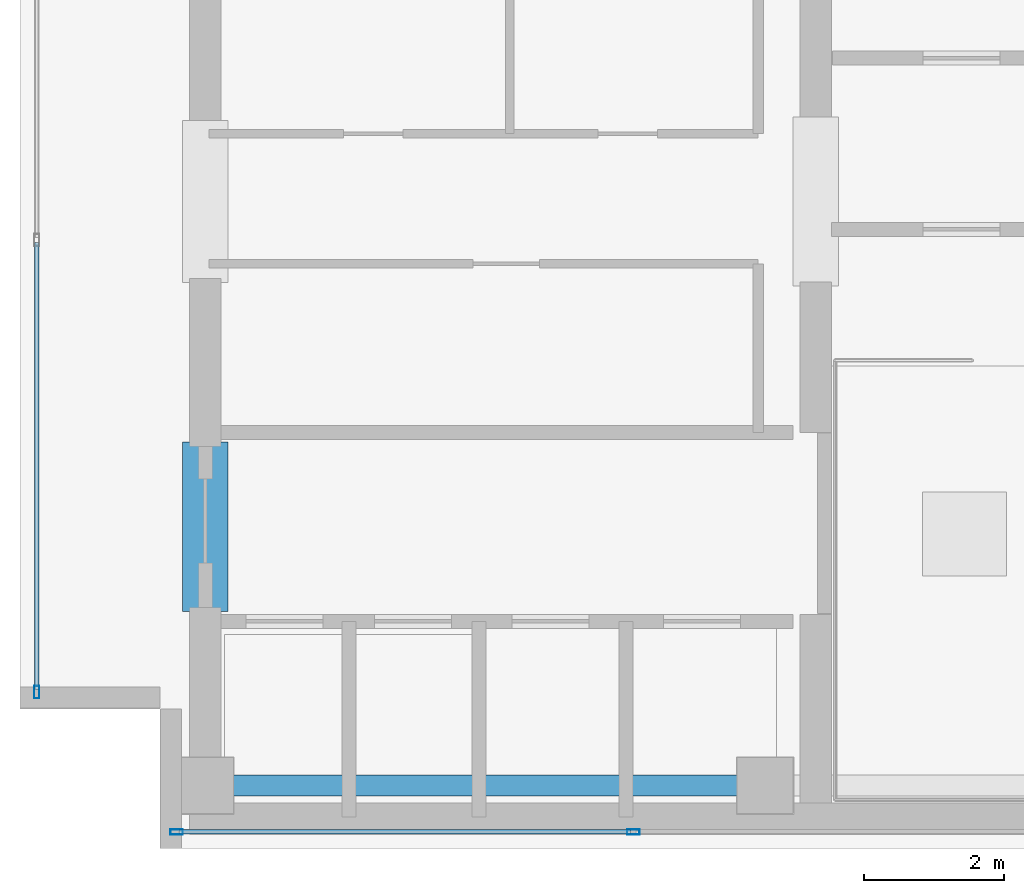
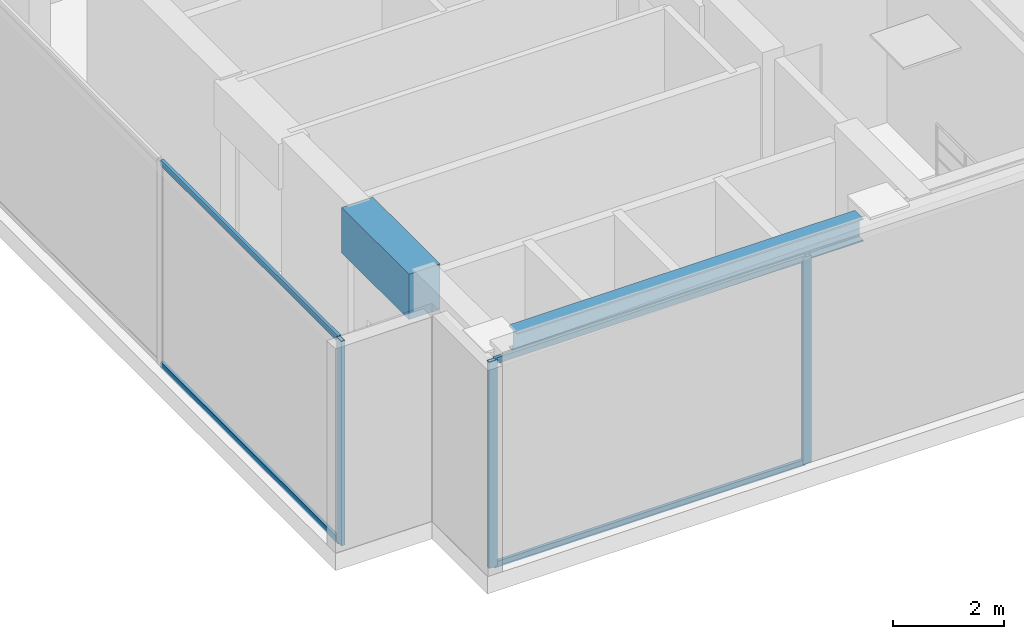
# One storey, part 2 of 22: 7 members, 2 beams, 2 elements without a shape of their own.
"""IFC4 building model written with IfcOpenShell, lengths in metres."""

from ifc_helpers import new_model, si_unit, direction, frame, origin, origin_with_axes, origin_2d, place, context, subcontext, project, spatial, rectangle, hollow_rectangle, i_section, extrude, source, transform, mapped, material, layer, layer_set, material_profile, profile_set, type_object, element, aggregate, save


model = new_model("IFC4")

# Units and contexts
model_context = context("Model", 3, precision=1e-05, world=origin(), true_north=direction((0.0, 1.0)))
body_context = subcontext(model_context, "Body", "Model", "MODEL_VIEW")
ifc_project = project(units=[si_unit("LENGTHUNIT", "METRE"), si_unit("AREAUNIT", "SQUARE_METRE"), si_unit("VOLUMEUNIT", "CUBIC_METRE"), si_unit("PLANEANGLEUNIT", "RADIAN"), si_unit("MASSUNIT", "GRAM", prefix="KILO")], contexts=[model_context])

# Site, building, storey
site_placement = place(None, origin())
site = spatial("IfcSite", under=ifc_project, at=site_placement, CompositionType="ELEMENT")
building_placement = place(site_placement, origin())
building = spatial("IfcBuilding", under=site, at=building_placement, Name="Kolvaren Waterfront Exchange", CompositionType="ELEMENT")
storey_placement = place(building_placement, frame((0.0, 0.0, 360.39990234375)))
storey = spatial("IfcBuildingStorey", under=building, at=storey_placement, Name="RF", CompositionType="ELEMENT", Elevation=360.39990234375)

# Beams
ifc_material_1 = material(Name="Steel S355", Category="steel")
ifc_material_profile_1 = material_profile(ifc_material_1, i_section(OverallWidth=0.300048828125, OverallDepth=0.5, WebThickness=0.014404296875, FlangeThickness=0.028076171875, FilletRadius=0.027099609375, at=origin_2d()), Name="HEB500")
ifc_profile_set_1 = profile_set([ifc_material_profile_1], Name="Steel S355")
beam_type_1 = type_object("IfcBeamType", Name="STR-BM-HEB500", PredefinedType="BEAM", material=ifc_profile_set_1)
beam_1_placement = place(storey_placement, frame((7.85205078125, 4.89990234375, 4.281005859375), z_axis=(1.0, 0.0, 0.0), x_axis=(0.0, 1.0, 0.0)))
element("IfcBeam", 1, at=beam_1_placement, inside=storey, type_object=beam_type_1, Name="RF crown roof girder 1", PredefinedType="SPANDREL", context=body_context, shape_type="SweptSolid", body=[
    extrude(i_section(OverallWidth=0.300048828125, OverallDepth=0.5, WebThickness=0.014404296875, FlangeThickness=0.028076171875, FilletRadius=0.027099609375, at=origin_2d()), origin(), (0.0, 0.0, 1.0), 7.196044921875),
])
ifc_material_2 = material(Name="Concrete C60/75", Category="concrete")
ifc_material_profile_2 = material_profile(ifc_material_2, rectangle(XDim=0.64990234375, YDim=1.0, at=origin_2d()), Name="RC-CB-1000x650")
ifc_profile_set_2 = profile_set([ifc_material_profile_2], Name="Concrete C60/75")
beam_type_2 = type_object("IfcBeamType", Name="STR-CB-1000", PredefinedType="SPANDREL", material=ifc_profile_set_2)
beam_2_placement = place(storey_placement, frame((7.449951171875, 7.389892578125, 3.97998046875), z_axis=(0.0, 1.0, 0.0), x_axis=(-1.0, 0.0, 0.0)))
element("IfcBeam", 2, at=beam_2_placement, inside=storey, type_object=beam_type_2, Name="RF core coupling beam 3", PredefinedType="SPANDREL", context=body_context, shape_type="SweptSolid", body=[
    extrude(rectangle(XDim=0.64990234375, YDim=1.0, at=origin_2d()), origin(), (0.0, 0.0, 1.0), 2.420166015625),
])

# Curtain wall, members
ifc_material_3 = material(Name="Anodised bronze aluminium 6063-T6", Category="aluminium")
ifc_layer = layer(ifc_material_3, 0.219970703125, Name="Anodised bronze aluminium 6063-T6")
ifc_layer_set = layer_set([ifc_layer], Name="Anodised bronze aluminium 6063-T6")
curtain_wall_type = type_object("IfcCurtainWallType", Name="ARC-CW-SYS5", PredefinedType="USERDEFINED", material=ifc_layer_set)
curtain_wall_1_placement = place(storey_placement, origin())
curtain_wall_1 = element("IfcCurtainWall", 3, at=curtain_wall_1_placement, inside=storey, type_object=curtain_wall_type, Name="RF stick curtain wall CW5 (CW-RF-S1)", ObjectType="STICK CURTAIN WALL", PredefinedType="USERDEFINED")
ifc_material_profile_3 = material_profile(ifc_material_3, hollow_rectangle(XDim=0.074951171875, YDim=0.179931640625, WallThickness=0.00439453125, at=origin_2d()), Name="ALU-MUL-180x75x4.5")
ifc_profile_set_3 = profile_set([ifc_material_profile_3], Name="Anodised bronze aluminium 6063-T6")
member_type_1 = type_object("IfcMemberType", Name="ARC-CWM-180", PredefinedType="MULLION", material=ifc_profile_set_3)
shared_shape_1 = source(origin_with_axes(), body_context, "Body", "SweptSolid", [
    extrude(hollow_rectangle(XDim=0.074951171875, YDim=0.179931640625, WallThickness=0.00439453125, at=origin_2d()), origin(), (0.0, 0.0, 1.0), 4.542236328125),
])
member_1_placement = place(storey_placement, frame((7.03759765625, 4.239990234375, 0.0), z_axis=(0.0, 0.0, 1.0), x_axis=(0.0, 1.0, 0.0)))
member_1 = element("IfcMember", 4, at=member_1_placement, type_object=member_type_1, Name="CW5 mullion 1", PredefinedType="MULLION", context=body_context, shape_type="MappedRepresentation", body=[
    mapped(shared_shape_1, transform((0.0, 0.0, 0.0), x_axis=(1.0, 0.0, 0.0), y_axis=(0.0, 1.0, 0.0), z_axis=(0.0, 0.0, 1.0), scale=1.0)),
])
member_2_placement = place(storey_placement, frame((13.566650390625, 4.239990234375, 0.0), z_axis=(0.0, 0.0, 1.0), x_axis=(0.0, 1.0, 0.0)))
member_2 = element("IfcMember", 5, at=member_2_placement, type_object=member_type_1, Name="CW5 mullion 2", PredefinedType="MULLION", context=body_context, shape_type="MappedRepresentation", body=[
    mapped(shared_shape_1, transform((0.0, 0.0, 0.0), x_axis=(1.0, 0.0, 0.0), y_axis=(0.0, 1.0, 0.0), z_axis=(0.0, 0.0, 1.0), scale=1.0)),
])
ifc_material_profile_4 = material_profile(ifc_material_3, hollow_rectangle(XDim=0.06494140625, YDim=0.1298828125, WallThickness=0.00390625, at=origin_2d()), Name="ALU-TRN-130x65x4")
ifc_profile_set_4 = profile_set([ifc_material_profile_4], Name="Anodised bronze aluminium 6063-T6")
member_type_2 = type_object("IfcMemberType", Name="ARC-CWT-130", PredefinedType="USERDEFINED", material=ifc_profile_set_4)
shared_shape_2 = source(origin_with_axes(), body_context, "Body", "SweptSolid", [
    extrude(hollow_rectangle(XDim=0.06494140625, YDim=0.1298828125, WallThickness=0.00390625, at=origin_2d()), origin(), (0.0, 0.0, 1.0), 6.4541015625),
])
member_3_placement = place(storey_placement, frame((7.074951171875, 4.239990234375, 0.03271484375), z_axis=(1.0, 0.0, 0.0), x_axis=(0.0, 1.0, 0.0)))
member_3 = element("IfcMember", 6, at=member_3_placement, type_object=member_type_2, Name="CW5 transom 1.1", ObjectType="TRANSOM", PredefinedType="USERDEFINED", context=body_context, shape_type="MappedRepresentation", body=[
    mapped(shared_shape_2, transform((0.0, 0.0, 0.0), x_axis=(1.0, 0.0, 0.0), y_axis=(0.0, 1.0, 0.0), z_axis=(0.0, 0.0, 1.0), scale=1.0)),
])
member_4_placement = place(storey_placement, frame((7.074951171875, 4.239990234375, 4.509765625), z_axis=(1.0, 0.0, 0.0), x_axis=(0.0, 1.0, 0.0)))
member_4 = element("IfcMember", 7, at=member_4_placement, type_object=member_type_2, Name="CW5 transom 1.2", ObjectType="TRANSOM", PredefinedType="USERDEFINED", context=body_context, shape_type="MappedRepresentation", body=[
    mapped(shared_shape_2, transform((0.0, 0.0, 0.0), x_axis=(1.0, 0.0, 0.0), y_axis=(0.0, 1.0, 0.0), z_axis=(0.0, 0.0, 1.0), scale=1.0)),
])
aggregate(curtain_wall_1, [member_1, member_2, member_3, member_4])

curtain_wall_2_placement = place(storey_placement, origin())
curtain_wall_2 = element("IfcCurtainWall", 8, at=curtain_wall_2_placement, inside=storey, type_object=curtain_wall_type, Name="RF stick curtain wall CW5 (CW-RF-W)", ObjectType="STICK CURTAIN WALL", PredefinedType="USERDEFINED")
shared_shape_3 = source(origin_with_axes(), body_context, "Body", "SweptSolid", [
    extrude(hollow_rectangle(XDim=0.074951171875, YDim=0.179931640625, WallThickness=0.00439453125, at=origin_2d()), origin(), (0.0, 0.0, 1.0), 4.504638671875),
])
member_5_placement = place(storey_placement, frame((5.0400390625, 6.237548828125, 0.0), z_axis=(0.0, 0.0, 1.0), x_axis=(-1.0, 0.0, 0.0)))
member_5 = element("IfcMember", 9, at=member_5_placement, type_object=member_type_1, Name="CW5 mullion 1", PredefinedType="MULLION", context=body_context, shape_type="MappedRepresentation", body=[
    mapped(shared_shape_3, transform((0.0, 0.0, 0.0), x_axis=(1.0, 0.0, 0.0), y_axis=(0.0, 1.0, 0.0), z_axis=(0.0, 0.0, 1.0), scale=1.0)),
])
shared_shape_4 = source(origin_with_axes(), body_context, "Body", "SweptSolid", [
    extrude(hollow_rectangle(XDim=0.06494140625, YDim=0.1298828125, WallThickness=0.00390625, at=origin_2d()), origin(), (0.0, 0.0, 1.0), 6.3876953125),
])
member_6_placement = place(storey_placement, frame((5.0400390625, 6.27490234375, 0.03271484375), z_axis=(0.0, 1.0, 0.0), x_axis=(-1.0, 0.0, 0.0)))
member_6 = element("IfcMember", 10, at=member_6_placement, type_object=member_type_2, Name="CW5 transom 1.1", ObjectType="TRANSOM", PredefinedType="USERDEFINED", context=body_context, shape_type="MappedRepresentation", body=[
    mapped(shared_shape_4, transform((0.0, 0.0, 0.0), x_axis=(1.0, 0.0, 0.0), y_axis=(0.0, 1.0, 0.0), z_axis=(0.0, 0.0, 1.0), scale=1.0)),
])
member_7_placement = place(storey_placement, frame((5.0400390625, 6.27490234375, 4.47216796875), z_axis=(0.0, 1.0, 0.0), x_axis=(-1.0, 0.0, 0.0)))
member_7 = element("IfcMember", 11, at=member_7_placement, type_object=member_type_2, Name="CW5 transom 1.2", ObjectType="TRANSOM", PredefinedType="USERDEFINED", context=body_context, shape_type="MappedRepresentation", body=[
    mapped(shared_shape_4, transform((0.0, 0.0, 0.0), x_axis=(1.0, 0.0, 0.0), y_axis=(0.0, 1.0, 0.0), z_axis=(0.0, 0.0, 1.0), scale=1.0)),
])
aggregate(curtain_wall_2, [member_5, member_6, member_7])

save(model, "model.ifc")
